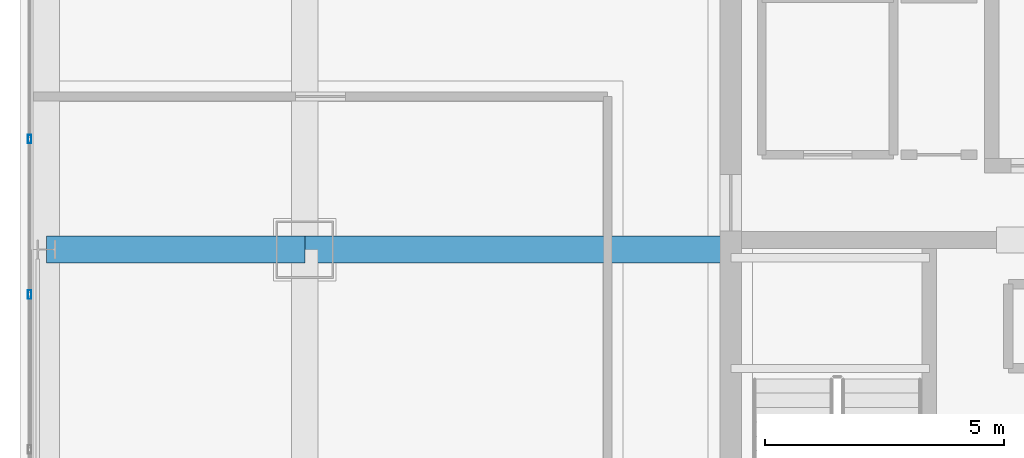
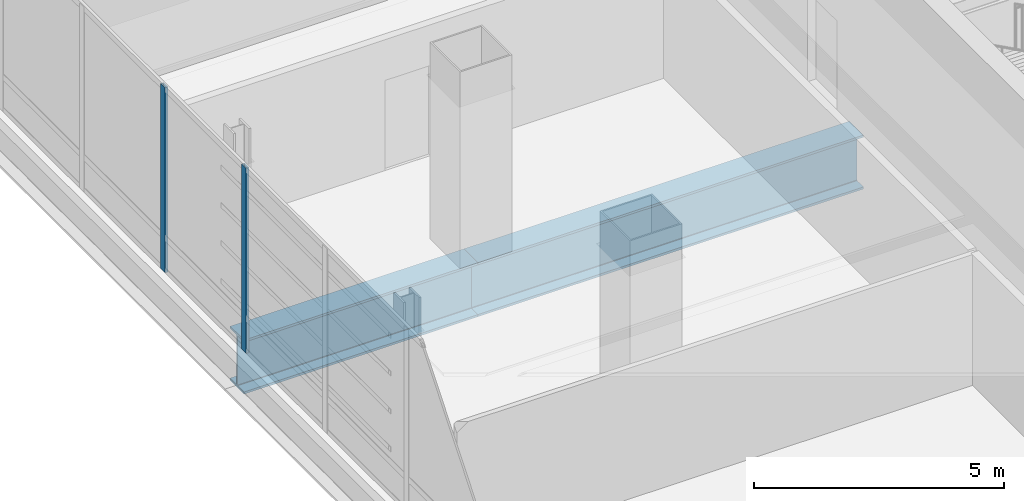
# One storey, part 14 of 45: 2 beams, 2 members, 1 element without a shape of its own.
"""IFC4 building model written with IfcOpenShell, lengths in metres."""

from ifc_helpers import new_model, si_unit, direction, frame, origin, origin_2d, place, context, subcontext, project, spatial, hollow_rectangle, i_section, extrude, material, material_profile, profile_set, type_object, element, aggregate, save


model = new_model("IFC4")

# Units and contexts
model_context = context("Model", 3, precision=1e-05, world=origin(), true_north=direction((0.0, 1.0)))
body_context = subcontext(model_context, "Body", "Model", "MODEL_VIEW")
ifc_project = project(units=[si_unit("LENGTHUNIT", "METRE"), si_unit("AREAUNIT", "SQUARE_METRE"), si_unit("VOLUMEUNIT", "CUBIC_METRE"), si_unit("PLANEANGLEUNIT", "RADIAN"), si_unit("MASSUNIT", "GRAM", prefix="KILO")], contexts=[model_context])

# Site, building, storey
site_placement = place(None, origin())
site = spatial("IfcSite", under=ifc_project, at=site_placement, CompositionType="ELEMENT")
building_placement = place(site_placement, origin())
building = spatial("IfcBuilding", under=site, at=building_placement, Name="Punatoya Terracotta Tower", CompositionType="ELEMENT")
storey_placement = place(building_placement, frame((0.0, 0.0, 339.0)))
storey = spatial("IfcBuildingStorey", under=building, at=storey_placement, Name="L80", CompositionType="ELEMENT", Elevation=339.0)

# Beams
ifc_material_1 = material(Name="Steel S460", Category="steel")
ifc_material_profile_1 = material_profile(ifc_material_1, i_section(OverallWidth=0.56005859375, OverallDepth=1.320068359375, WebThickness=0.035888671875, FlangeThickness=0.054931640625, FilletRadius=0.01806640625, at=origin_2d()))
ifc_profile_set_1 = profile_set([ifc_material_profile_1], Name="Steel S460")
beam_type = type_object("IfcBeamType", Name="BM-TG-BLK", PredefinedType="BEAM", material=ifc_profile_set_1)
beam_1_placement = place(storey_placement, frame((-19.10009765625, 3.39990234375, -0.919921875), z_axis=(1.0, 0.0, 0.0), x_axis=(0.0, 1.0, 0.0)))
element("IfcBeam", 1, at=beam_1_placement, inside=storey, type_object=beam_type, Name="BM-L80-PR-WE", PredefinedType="BEAM", context=body_context, shape_type="SweptSolid", body=[
    extrude(i_section(OverallWidth=0.56005859375, OverallDepth=1.320068359375, WebThickness=0.035888671875, FlangeThickness=0.054931640625, FilletRadius=0.01806640625, at=origin_2d()), origin(), (0.0, 0.0, 1.0), 8.900146484375),
])
beam_2_placement = place(storey_placement, frame((-24.5, 3.39990234375, -0.919921875), z_axis=(1.0, 0.0, 0.0), x_axis=(0.0, 1.0, 0.0)))
element("IfcBeam", 2, at=beam_2_placement, inside=storey, type_object=beam_type, Name="BM-L80-CANT-W3", PredefinedType="BEAM", context=body_context, shape_type="SweptSolid", body=[
    extrude(i_section(OverallWidth=0.56005859375, OverallDepth=1.320068359375, WebThickness=0.035888671875, FlangeThickness=0.054931640625, FilletRadius=0.01806640625, at=origin_2d()), origin(), (0.0, 0.0, 1.0), 5.39990234375),
])

# Curtain wall, members
ifc_material_2 = material(Name="Aluminium 6063-T6 + Double Low-E Glass", Category="aluminium")
curtain_wall_type = type_object("IfcCurtainWallType", Name="CW-OBS", PredefinedType="NOTDEFINED", material=ifc_material_2)
curtain_wall_placement = place(storey_placement, origin())
curtain_wall = element("IfcCurtainWall", 3, at=curtain_wall_placement, inside=storey, type_object=curtain_wall_type, Name="L80 Curtain Wall CW-L80-W13-1", PredefinedType="NOTDEFINED")
ifc_material_3 = material(Name="Aluminium 6063-T6", Category="aluminium")
ifc_material_profile_2 = material_profile(ifc_material_3, hollow_rectangle(XDim=0.070068359375, YDim=0.179931640625, WallThickness=0.00390625, at=origin_2d()))
ifc_profile_set_2 = profile_set([ifc_material_profile_2], Name="Aluminium 6063-T6")
member_type = type_object("IfcMemberType", Name="CW-MUL-M3", PredefinedType="MULLION", material=ifc_profile_set_2)
member_1_placement = place(storey_placement, frame((-24.85009765625, 5.707763671875, 0.0), z_axis=(0.0, 0.0, 1.0), x_axis=(1.0, 0.0, 0.0)))
member_1 = element("IfcMember", 4, at=member_1_placement, type_object=member_type, Name="CW-L80-W13-1 Mullion 03", PredefinedType="MULLION", context=body_context, shape_type="SweptSolid", body=[
    extrude(hollow_rectangle(XDim=0.070068359375, YDim=0.179931640625, WallThickness=0.00390625, at=origin_2d()), origin(), (0.0, 0.0, 1.0), 4.52001953125),
])
member_2_placement = place(storey_placement, frame((-24.85009765625, 2.464599609375, 0.0), z_axis=(0.0, 0.0, 1.0), x_axis=(1.0, 0.0, 0.0)))
member_2 = element("IfcMember", 5, at=member_2_placement, type_object=member_type, Name="CW-L80-W13-1 Mullion 04", PredefinedType="MULLION", context=body_context, shape_type="SweptSolid", body=[
    extrude(hollow_rectangle(XDim=0.070068359375, YDim=0.179931640625, WallThickness=0.00390625, at=origin_2d()), origin(), (0.0, 0.0, 1.0), 4.52001953125),
])
aggregate(curtain_wall, [member_1, member_2])

save(model, "model.ifc")
